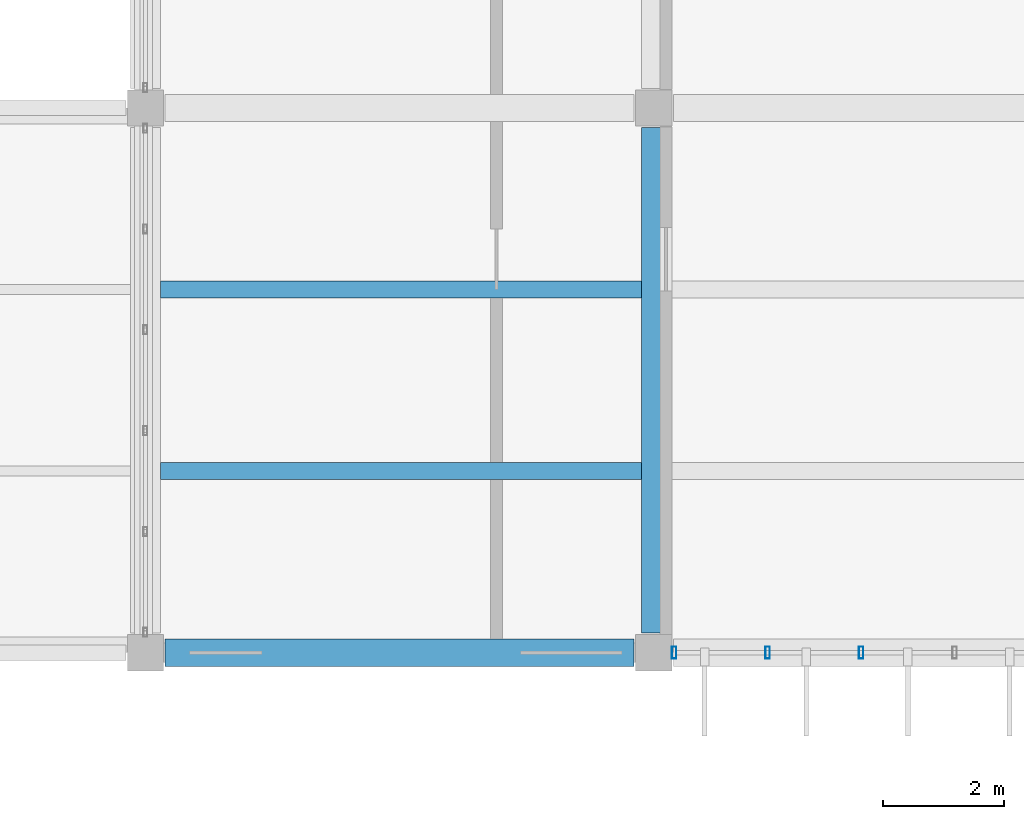
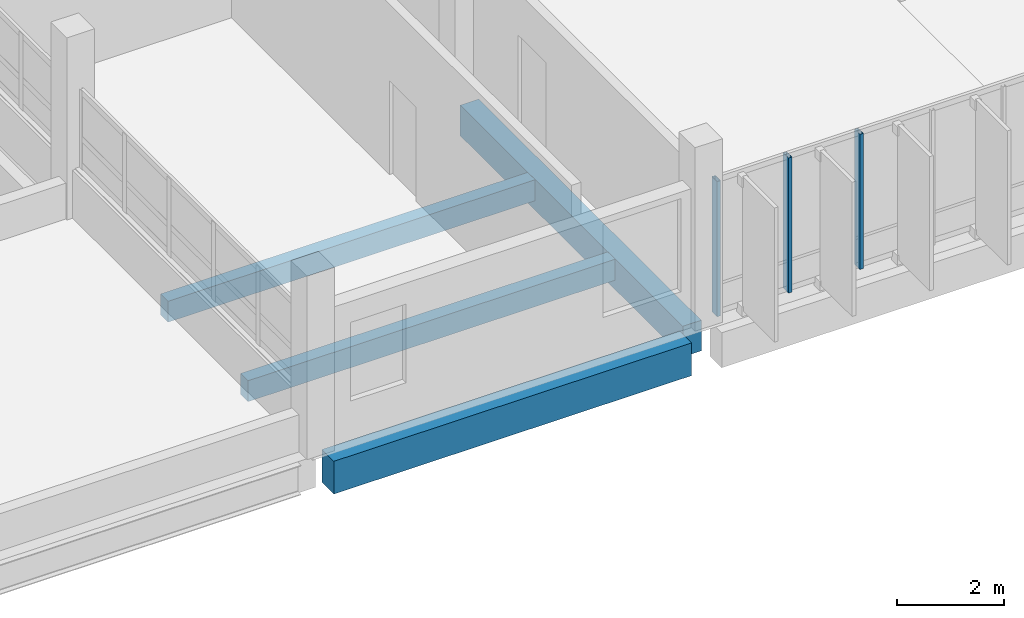
# One storey, part 28 of 130: 4 beams, 3 members, 1 element without a shape of its own.
"""IFC4 building model written with IfcOpenShell, lengths in metres."""

from ifc_helpers import new_model, si_unit, direction, frame, origin, origin_2d, place, context, subcontext, project, spatial, rectangle, hollow_rectangle, extrude, material, layer, layer_set, material_profile, profile_set, type_object, element, aggregate, save


model = new_model("IFC4")

# Units and contexts
model_context = context("Model", 3, precision=1e-05, world=origin(), true_north=direction((0.0, 1.0)))
body_context = subcontext(model_context, "Body", "Model", "MODEL_VIEW")
ifc_project = project(units=[si_unit("LENGTHUNIT", "METRE"), si_unit("AREAUNIT", "SQUARE_METRE"), si_unit("VOLUMEUNIT", "CUBIC_METRE"), si_unit("PLANEANGLEUNIT", "RADIAN"), si_unit("MASSUNIT", "GRAM", prefix="KILO")], contexts=[model_context])

# Site, building, storey
site_placement = place(None, origin())
site = spatial("IfcSite", under=ifc_project, at=site_placement, CompositionType="ELEMENT")
building_placement = place(site_placement, origin())
building = spatial("IfcBuilding", under=site, at=building_placement, Name="Vireocrest Preparatory School", CompositionType="ELEMENT")
storey_placement = place(building_placement, frame((0.0, 0.0, 9.0)))
storey = spatial("IfcBuildingStorey", under=building, at=storey_placement, Name="L02", CompositionType="ELEMENT", Elevation=9.0)

# Curtain wall, members
ifc_material_1 = material(Name="Thermally broken aluminium EN AW-6063-T6", Category="aluminium")
ifc_layer = layer(ifc_material_1, 0.179931640625)
ifc_layer_set = layer_set([ifc_layer], Name="Thermally broken aluminium EN AW-6063-T6")
curtain_wall_type = type_object("IfcCurtainWallType", Name="Side Banded Curtain Wall 9000x3200", PredefinedType="USERDEFINED", material=ifc_layer_set)
curtain_wall_placement = place(storey_placement, origin())
curtain_wall = element("IfcCurtainWall", 1, at=curtain_wall_placement, inside=storey, type_object=curtain_wall_type, Name="Curtain Wall CW09 CW_L02_CW09_1011_0180_090", ObjectType="CURTAIN WALL", PredefinedType="USERDEFINED")
ifc_material_profile_1 = material_profile(ifc_material_1, hollow_rectangle(XDim=0.074951171875, YDim=0.199951171875, WallThickness=0.0048828125, at=origin_2d()), Name="ALU 75x200x5")
ifc_profile_set_1 = profile_set([ifc_material_profile_1], Name="Thermally broken aluminium EN AW-6063-T6")
member_type = type_object("IfcMemberType", Name="CW Mullion 75x200x5", PredefinedType="MULLION", material=ifc_profile_set_1)
member_1_placement = place(storey_placement, frame((101.135009765625, 18.0, 0.0), z_axis=(0.0, 0.0, 1.0), x_axis=(1.0, 0.0, 0.0)))
member_1 = element("IfcMember", 2, at=member_1_placement, type_object=member_type, Name="CW Mullion ML3 CW_L02_CW09_1011_0180_090-1", PredefinedType="MULLION", context=body_context, shape_type="SweptSolid", body=[
    extrude(hollow_rectangle(XDim=0.074951171875, YDim=0.199951171875, WallThickness=0.0048828125, at=origin_2d()), origin(), (0.0, 0.0, 1.0), 3.094970703125),
])
member_2_placement = place(storey_placement, frame((102.680908203125, 18.0, 0.0), z_axis=(0.0, 0.0, 1.0), x_axis=(1.0, 0.0, 0.0)))
member_2 = element("IfcMember", 3, at=member_2_placement, type_object=member_type, Name="CW Mullion ML3 CW_L02_CW09_1011_0180_090-2", PredefinedType="MULLION", context=body_context, shape_type="SweptSolid", body=[
    extrude(hollow_rectangle(XDim=0.074951171875, YDim=0.199951171875, WallThickness=0.0048828125, at=origin_2d()), origin(), (0.0, 0.0, 1.0), 3.094970703125),
])
member_3_placement = place(storey_placement, frame((104.22705078125, 18.0, 0.0), z_axis=(0.0, 0.0, 1.0), x_axis=(1.0, 0.0, 0.0)))
member_3 = element("IfcMember", 4, at=member_3_placement, type_object=member_type, Name="CW Mullion ML3 CW_L02_CW09_1011_0180_090-3", PredefinedType="MULLION", context=body_context, shape_type="SweptSolid", body=[
    extrude(hollow_rectangle(XDim=0.074951171875, YDim=0.199951171875, WallThickness=0.0048828125, at=origin_2d()), origin(), (0.0, 0.0, 1.0), 3.094970703125),
])
aggregate(curtain_wall, [member_1, member_2, member_3])

# Beams
ifc_material_2 = material(Name="Concrete 40 MPa", Category="concrete")
ifc_material_profile_2 = material_profile(ifc_material_2, rectangle(XDim=0.39990234375, YDim=0.699951171875, at=origin_2d()), Name="RC 400x700")
ifc_profile_set_2 = profile_set([ifc_material_profile_2], Name="Concrete 40 MPa")
beam_type_1 = type_object("IfcBeamType", Name="RC Corridor Girder 400x700", PredefinedType="BEAM", material=ifc_profile_set_2)
beam_1_placement = place(storey_placement, frame((100.800048828125, 18.324951171875, -0.64990234375), z_axis=(0.0, 1.0, 0.0), x_axis=(-1.0, 0.0, 0.0)))
element("IfcBeam", 5, at=beam_1_placement, inside=storey, type_object=beam_type_1, Name="Primary Girder B08 L02-0847", PredefinedType="BEAM", context=body_context, shape_type="SweptSolid", body=[
    extrude(rectangle(XDim=0.39990234375, YDim=0.699951171875, at=origin_2d()), origin(), (0.0, 0.0, 1.0), 8.35009765625),
])
ifc_material_profile_3 = material_profile(ifc_material_2, rectangle(XDim=0.449951171875, YDim=0.75, at=origin_2d()), Name="RC 450x750")
ifc_profile_set_3 = profile_set([ifc_material_profile_3], Name="Concrete 40 MPa")
beam_type_2 = type_object("IfcBeamType", Name="RC Library Stack Girder 450x750", PredefinedType="BEAM", material=ifc_profile_set_3)
beam_2_placement = place(storey_placement, frame((92.72509765625, 18.0, -0.675048828125), z_axis=(1.0, 0.0, 0.0), x_axis=(0.0, 1.0, 0.0)))
element("IfcBeam", 6, at=beam_2_placement, inside=storey, type_object=beam_type_2, Name="Primary Girder B11 L02-0683", PredefinedType="BEAM", context=body_context, shape_type="SweptSolid", body=[
    extrude(rectangle(XDim=0.449951171875, YDim=0.75, at=origin_2d()), origin(), (0.0, 0.0, 1.0), 7.75),
])
ifc_material_profile_4 = material_profile(ifc_material_2, rectangle(XDim=0.280029296875, YDim=0.47998046875, at=origin_2d()), Name="RC 280x480")
ifc_profile_set_4 = profile_set([ifc_material_profile_4], Name="Concrete 40 MPa")
beam_type_3 = type_object("IfcBeamType", Name="RC Secondary Lab Joist 280x480", PredefinedType="JOIST", material=ifc_profile_set_4)
for number, where, z_axis, x_axis, name in (
    (7, (92.64990234375, 21.0, -0.5400390625), (1.0, 0.0, 0.0), (0.0, 1.0, 0.0), "Secondary Joist J02 L02-0966"),
    (8, (92.64990234375, 24.0, -0.5400390625), (1.0, 0.0, 0.0), (0.0, 1.0, 0.0), "Secondary Joist J02 L02-0967"),
):
    element("IfcBeam", number, at=place(storey_placement, frame(where, z_axis=z_axis, x_axis=x_axis)), inside=storey, type_object=beam_type_3, Name=name, PredefinedType="JOIST", context=body_context, shape_type="SweptSolid", body=[
        extrude(rectangle(XDim=0.280029296875, YDim=0.47998046875, at=origin_2d()), origin(), (0.0, 0.0, 1.0), 7.9501953125),
    ])

save(model, "model.ifc")
